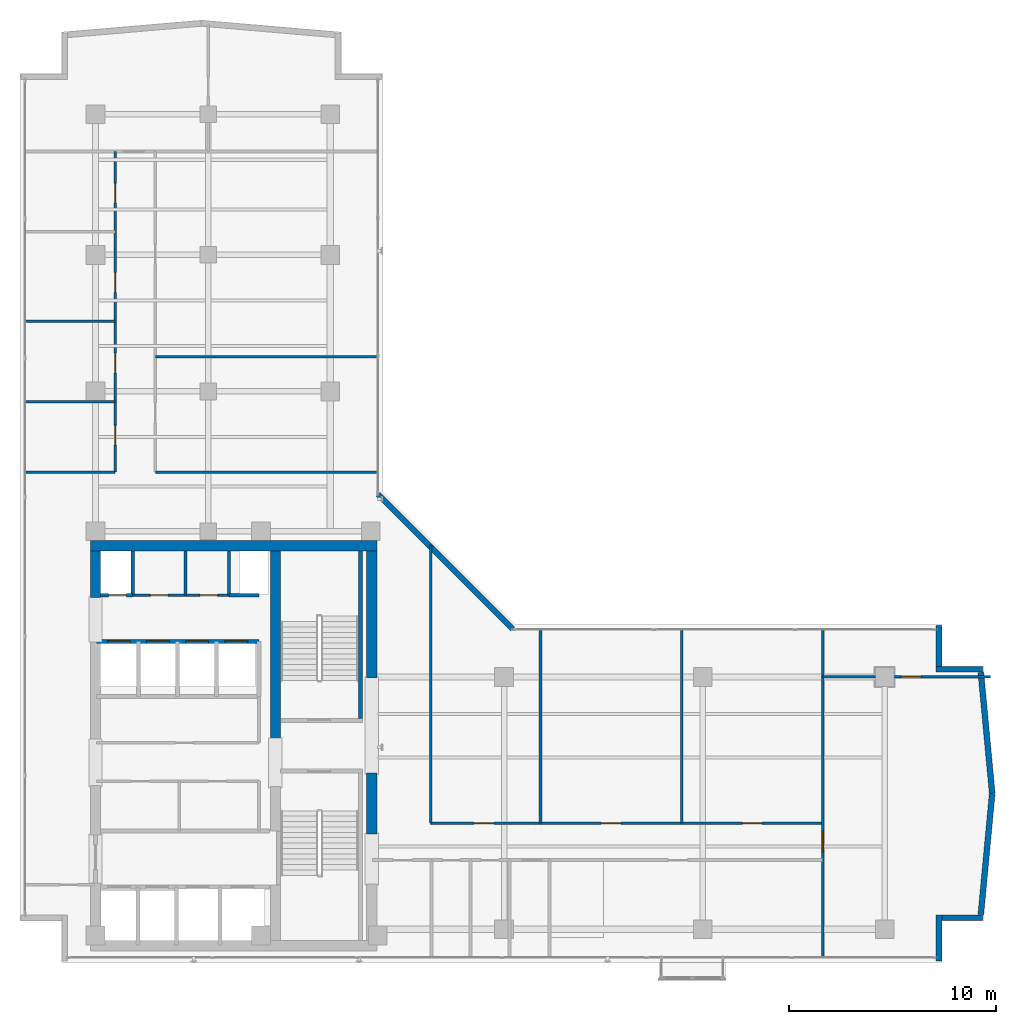
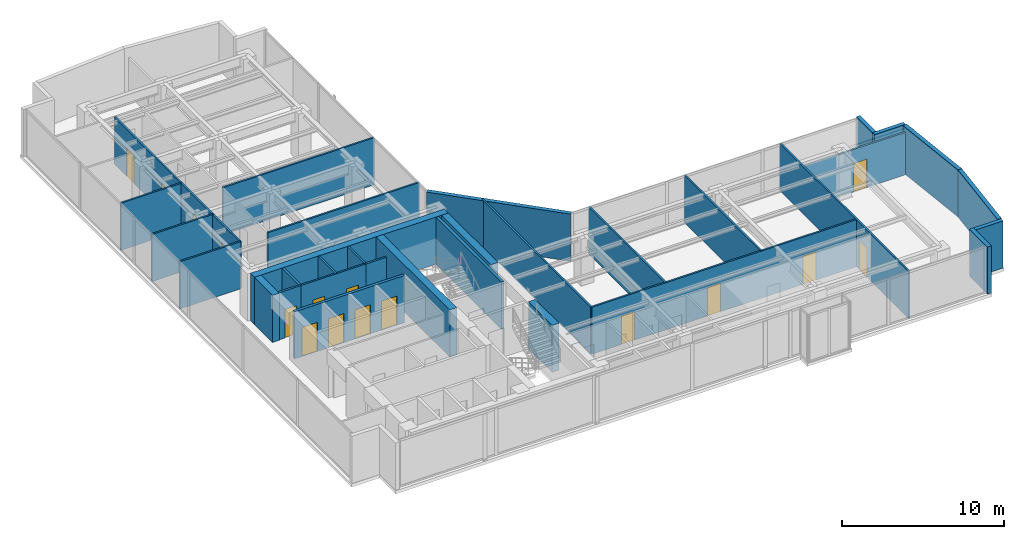
# One storey, part 18 of 24: 32 walls, 16 doors, 16 openings.
"""IFC4 building model written with IfcOpenShell, lengths in metres."""

from ifc_helpers import new_model, si_unit, direction, frame, frame_2d, origin, place, context, subcontext, project, spatial, rectangle, extrude, material, layer, layer_set, type_object, element, fill, save


model = new_model("IFC4")

# Units and contexts
model_context = context("Model", 3, precision=1e-05, world=origin(), true_north=direction((0.0, 1.0)))
body_context = subcontext(model_context, "Body", "Model", "MODEL_VIEW")
ifc_project = project(units=[si_unit("LENGTHUNIT", "METRE"), si_unit("AREAUNIT", "SQUARE_METRE"), si_unit("VOLUMEUNIT", "CUBIC_METRE"), si_unit("PLANEANGLEUNIT", "RADIAN"), si_unit("MASSUNIT", "GRAM", prefix="KILO")], contexts=[model_context])

# Site, building, storey
site_placement = place(None, origin())
site = spatial("IfcSite", under=ifc_project, at=site_placement, CompositionType="ELEMENT")
building_placement = place(site_placement, origin())
building = spatial("IfcBuilding", under=site, at=building_placement, Name="Kolvaren Waterfront Exchange", CompositionType="ELEMENT")
storey_placement = place(building_placement, frame((0.0, 0.0, 285.60009765625)))
storey = spatial("IfcBuildingStorey", under=building, at=storey_placement, Name="L73", CompositionType="ELEMENT", Elevation=285.60009765625)

# Walls
ifc_material_1 = material(Name="Precast concrete C40/50", Category="concrete")
ifc_layer_1 = layer(ifc_material_1, 0.280029296875, Name="Precast concrete C40/50")
ifc_layer_set_1 = layer_set([ifc_layer_1], Name="Precast concrete C40/50")
wall_type_1 = type_object("IfcWallType", Name="ARC-EXT-TERR-280", PredefinedType="SOLIDWALL", material=ifc_layer_set_1)
wall_1_placement = place(storey_placement, frame((48.218994140625, 3.659912109375, 0.0), z_axis=(0.0, 0.0, 1.0), x_axis=(0.0, 1.0, 0.0)))
element("IfcWall", 1, at=wall_1_placement, inside=storey, type_object=wall_type_1, Name="L73 notched corner spandrel pier SE-A", PredefinedType="SOLIDWALL", context=body_context, shape_type="SweptSolid", body=[
    extrude(rectangle(XDim=2.239990234375, YDim=0.280029296875, at=frame_2d((1.1201171875, 0.0))), origin(), (0.0, 0.0, 1.0), 3.559814453125),
])
wall_2_placement = place(storey_placement, frame((48.35888671875, 5.760009765625, 0.0), z_axis=(0.0, 0.0, 1.0), x_axis=(1.0, 0.0, 0.0)))
element("IfcWall", 2, at=wall_2_placement, inside=storey, type_object=wall_type_1, Name="L73 notched corner spandrel pier SE-B", PredefinedType="SOLIDWALL", context=body_context, shape_type="SweptSolid", body=[
    extrude(rectangle(XDim=1.9599609375, YDim=0.280029296875, at=frame_2d((0.97998046875, 0.0))), origin(), (0.0, 0.0, 1.0), 3.559814453125),
])
wall_3_placement = place(storey_placement, frame((48.218994140625, 17.90185546875, 0.0), z_axis=(0.0, 0.0, 1.0), x_axis=(0.0, 1.0, 0.0)))
element("IfcWall", 3, at=wall_3_placement, inside=storey, type_object=wall_type_1, Name="L73 notched corner spandrel pier ENE-A", PredefinedType="SOLIDWALL", context=body_context, shape_type="SweptSolid", body=[
    extrude(rectangle(XDim=1.974853515625, YDim=0.280029296875, at=frame_2d((0.9873046875, 0.0))), origin(), (0.0, 0.0, 1.0), 3.559814453125),
])
wall_4_placement = place(storey_placement, frame((48.078857421875, 17.77685546875, 0.0), z_axis=(0.0, 0.0, 1.0), x_axis=(1.0, 0.0, 0.0)))
element("IfcWall", 4, at=wall_4_placement, inside=storey, type_object=wall_type_1, Name="L73 notched corner spandrel pier ENE-B", PredefinedType="SOLIDWALL", context=body_context, shape_type="SweptSolid", body=[
    extrude(rectangle(XDim=2.239990234375, YDim=0.280029296875, at=frame_2d((1.1201171875, 0.0))), origin(), (0.0, 0.0, 1.0), 3.559814453125),
])
wall_5_placement = place(storey_placement, frame((27.621826171875, 19.7119140625, 0.0), z_axis=(0.0, 0.0, 1.0), x_axis=(-0.707120040392, 0.707093521733, 0.0)))
element("IfcWall", 5, at=wall_5_placement, inside=storey, type_object=wall_type_1, Name="L73 notched corner spandrel pier ELBOW", PredefinedType="SOLIDWALL", context=body_context, shape_type="SweptSolid", body=[
    extrude(rectangle(XDim=9.206298828125, YDim=0.280029296875, at=frame_2d((4.60302734375, 0.0))), origin(), (0.0, 0.0, 1.0), 3.559814453125),
])
for number, where, z_axis, x_axis, name in (
    (6, (50.24755859375, 5.91357421875, 0.0), (0.0, 0.0, 1.0), (0.093450118625, 0.995623962814, 0.0), "L73 east prow faceted facade wall 1"),
    (7, (50.796630859375, 11.7734375, 0.0), (0.0, 0.0, 1.0), (-0.093450118625, 0.995623962814, 0.0), "L73 east prow faceted facade wall 2"),
):
    element("IfcWall", number, at=place(storey_placement, frame(where, z_axis=z_axis, x_axis=x_axis)), inside=storey, type_object=wall_type_1, Name=name, PredefinedType="SOLIDWALL", context=body_context, shape_type="SweptSolid", body=[
        extrude(rectangle(XDim=5.87548828125, YDim=0.280029296875, at=frame_2d((2.937744140625, 0.0))), origin(), (0.0, 0.0, 1.0), 3.559814453125),
    ])

# Wall, openings, doors
ifc_material_2 = material(Name="Acoustic gypsum steel stud", Category="steel")
ifc_layer_2 = layer(ifc_material_2, 0.125, Name="Acoustic gypsum steel stud")
ifc_layer_set_2 = layer_set([ifc_layer_2], Name="Acoustic gypsum steel stud")
wall_type_2 = type_object("IfcWallType", Name="ARC-PART-125", PredefinedType="PARTITIONING", material=ifc_layer_set_2)
wall_6_placement = place(storey_placement, frame((9.25, 21.35009765625, 0.0), z_axis=(0.0, 0.0, 1.0), x_axis=(1.0, 0.0, 0.0)))
wall_6 = element("IfcWall", 8, at=wall_6_placement, inside=storey, type_object=wall_type_2, Name="L73 interior wall PW-L73-SVC-HI-S", PredefinedType="PARTITIONING", context=body_context, shape_type="SweptSolid", body=[
    extrude(rectangle(XDim=4.64990234375, YDim=0.125, at=frame_2d((2.324951171875, 0.0))), origin(), (0.0, 0.0, 1.0), 3.559814453125),
])
opening_1_placement = place(wall_6_placement, frame((0.85009765625, 0.0, 0.0)))
opening_1 = element("IfcOpeningElement", 9, at=opening_1_placement, cuts=wall_6, Name="Opening D01", PredefinedType="OPENING", context=body_context, shape_type="SweptSolid", body=[
    extrude(rectangle(XDim=0.85009765625, YDim=2.14990234375, at=frame_2d((0.425048828125, 1.074951171875))), frame((0.0, 0.072509765625, 0.0), z_axis=(0.0, -1.0, 0.0), x_axis=(1.0, 0.0, 0.0)), (0.0, 0.0, 1.0), 0.14501953125),
])
opening_2_placement = place(wall_6_placement, frame((3.25, 0.0, 0.0)))
opening_2 = element("IfcOpeningElement", 10, at=opening_2_placement, cuts=wall_6, Name="Opening D01", PredefinedType="OPENING", context=body_context, shape_type="SweptSolid", body=[
    extrude(rectangle(XDim=0.85009765625, YDim=2.14990234375, at=frame_2d((0.425048828125, 1.074951171875))), frame((0.0, 0.072509765625, 0.0), z_axis=(0.0, -1.0, 0.0), x_axis=(1.0, 0.0, 0.0)), (0.0, 0.0, 1.0), 0.14501953125),
])
ifc_material_3 = material(Name="Oak veneer timber leaf", Category="wood")
door_type_1 = type_object("IfcDoorType", Name="ARC-DR-900", OperationType="NOTDEFINED", PredefinedType="DOOR", material=ifc_material_3)
door_1_placement = place(opening_1_placement, origin())
door_1 = element("IfcDoor", 11, at=door_1_placement, inside=storey, type_object=door_type_1, Name="L73 door DR-L73-SVC-DR-1 (D01)", OperationType="SINGLE_SWING_RIGHT", OverallHeight=2.14990234375, OverallWidth=0.85009765625, PredefinedType="DOOR", context=body_context, shape_type="SweptSolid", body=[
    extrude(rectangle(XDim=0.85009765625, YDim=2.14990234375, at=frame_2d((0.425048828125, 1.074951171875))), frame((0.0, 0.02490234375, 0.0), z_axis=(0.0, -1.0, 0.0), x_axis=(1.0, 0.0, 0.0)), (0.0, 0.0, 1.0), 0.050048828125),
])
fill(opening_1, door_1)
door_2_placement = place(opening_2_placement, origin())
door_2 = element("IfcDoor", 12, at=door_2_placement, inside=storey, type_object=door_type_1, Name="L73 door DR-L73-SVC-DR-2 (D01)", OperationType="SINGLE_SWING_LEFT", OverallHeight=2.14990234375, OverallWidth=0.85009765625, PredefinedType="DOOR", context=body_context, shape_type="SweptSolid", body=[
    extrude(rectangle(XDim=0.85009765625, YDim=2.14990234375, at=frame_2d((0.425048828125, 1.074951171875))), frame((0.0, 0.02490234375, 0.0), z_axis=(0.0, -1.0, 0.0), x_axis=(1.0, 0.0, 0.0)), (0.0, 0.0, 1.0), 0.050048828125),
])
fill(opening_2, door_2)

# Wall
wall_7_placement = place(storey_placement, frame((11.800048828125, 21.35009765625, 0.0), z_axis=(0.0, 0.0, 1.0), x_axis=(0.0, 1.0, 0.0)))
element("IfcWall", 13, at=wall_7_placement, inside=storey, type_object=wall_type_2, Name="L73 interior wall PW-L73-SVC-HI-M", PredefinedType="PARTITIONING", context=body_context, shape_type="SweptSolid", body=[
    extrude(rectangle(XDim=2.1298828125, YDim=0.125, at=frame_2d((1.06494140625, 0.0))), origin(), (0.0, 0.0, 1.0), 3.559814453125),
])

# Wall, opening, door
wall_8_placement = place(storey_placement, frame((42.60009765625, 3.840087890625, 0.0), z_axis=(0.0, 0.0, 1.0), x_axis=(0.0, 1.0, 0.0)))
wall_8 = element("IfcWall", 14, at=wall_8_placement, inside=storey, type_object=wall_type_2, Name="L73 interior wall PW-L73-ETIP-W", PredefinedType="PARTITIONING", context=body_context, shape_type="SweptSolid", body=[
    extrude(rectangle(XDim=15.919921875, YDim=0.125, at=frame_2d((7.9599609375, 0.0))), origin(), (0.0, 0.0, 1.0), 3.559814453125),
])
opening_3_placement = place(wall_8_placement, frame((5.10009765625, 0.0, 0.0)))
opening_3 = element("IfcOpeningElement", 15, at=opening_3_placement, cuts=wall_8, Name="Opening D03", PredefinedType="OPENING", context=body_context, shape_type="SweptSolid", body=[
    extrude(rectangle(XDim=1.0, YDim=2.199951171875, at=frame_2d((0.5, 1.10009765625))), frame((0.0, 0.072509765625, 0.0), z_axis=(0.0, -1.0, 0.0), x_axis=(1.0, 0.0, 0.0)), (0.0, 0.0, 1.0), 0.14501953125),
])
ifc_material_4 = material(Name="Oak veneer accessible timber", Category="wood")
door_type_2 = type_object("IfcDoorType", Name="ARC-DR-1000", OperationType="NOTDEFINED", PredefinedType="DOOR", material=ifc_material_4)
door_3_placement = place(opening_3_placement, origin())
door_3 = element("IfcDoor", 16, at=door_3_placement, inside=storey, type_object=door_type_2, Name="L73 door DR-L73-ETIP1-D (D03)", OperationType="SINGLE_SWING_RIGHT", OverallHeight=2.199951171875, OverallWidth=1.0, PredefinedType="DOOR", context=body_context, shape_type="SweptSolid", body=[
    extrude(rectangle(XDim=1.0, YDim=2.199951171875, at=frame_2d((0.5, 1.10009765625))), frame((0.0, 0.02490234375, 0.0), z_axis=(0.0, -1.0, 0.0), x_axis=(1.0, 0.0, 0.0)), (0.0, 0.0, 1.0), 0.050048828125),
])
fill(opening_3, door_3)

wall_9_placement = place(storey_placement, frame((42.60009765625, 17.39990234375, 0.0), z_axis=(0.0, 0.0, 1.0), x_axis=(1.0, 0.0, 0.0)))
wall_9 = element("IfcWall", 17, at=wall_9_placement, inside=storey, type_object=wall_type_2, Name="L73 interior wall PW-L73-ETIP-MID", PredefinedType="PARTITIONING", context=body_context, shape_type="SweptSolid", body=[
    extrude(rectangle(XDim=8.11767578125, YDim=0.125, at=frame_2d((4.058837890625, 0.0))), origin(), (0.0, 0.0, 1.0), 3.199951171875),
])
opening_4_placement = place(wall_9_placement, frame((3.8125, 0.0, 0.0)))
opening_4 = element("IfcOpeningElement", 18, at=opening_4_placement, cuts=wall_9, Name="Opening D02", PredefinedType="OPENING", context=body_context, shape_type="SweptSolid", body=[
    extrude(rectangle(XDim=0.949951171875, YDim=2.14990234375, at=frame_2d((0.47509765625, 1.074951171875))), frame((0.0, 0.072509765625, 0.0), z_axis=(0.0, -1.0, 0.0), x_axis=(1.0, 0.0, 0.0)), (0.0, 0.0, 1.0), 0.14501953125),
])
ifc_material_5 = material(Name="Oak veneer acoustic timber", Category="wood")
door_type_3 = type_object("IfcDoorType", Name="ARC-DR-950", OperationType="NOTDEFINED", PredefinedType="DOOR", material=ifc_material_5)
door_4_placement = place(opening_4_placement, origin())
door_4 = element("IfcDoor", 19, at=door_4_placement, inside=storey, type_object=door_type_3, Name="L73 door DR-L73-ETIP2-D (D02)", OperationType="SINGLE_SWING_LEFT", OverallHeight=2.14990234375, OverallWidth=0.949951171875, PredefinedType="DOOR", context=body_context, shape_type="SweptSolid", body=[
    extrude(rectangle(XDim=0.949951171875, YDim=2.14990234375, at=frame_2d((0.47509765625, 1.074951171875))), frame((0.0, 0.02490234375, 0.0), z_axis=(0.0, -1.0, 0.0), x_axis=(1.0, 0.0, 0.0)), (0.0, 0.0, 1.0), 0.050048828125),
])
fill(opening_4, door_4)

# Wall
wall_10_placement = place(storey_placement, frame((23.64990234375, 10.330078125, 0.0), z_axis=(0.0, 0.0, 1.0), x_axis=(0.0, 1.0, 0.0)))
element("IfcWall", 20, at=wall_10_placement, inside=storey, type_object=wall_type_2, Name="L73 interior wall PW-L73-EN-W0", PredefinedType="PARTITIONING", context=body_context, shape_type="SweptSolid", body=[
    extrude(rectangle(XDim=13.45361328125, YDim=0.125, at=frame_2d((6.726806640625, 0.0))), origin(), (0.0, 0.0, 1.0), 3.559814453125),
])

# Wall, openings, doors
wall_11_placement = place(storey_placement, frame((23.64990234375, 10.330078125, 0.0), z_axis=(0.0, 0.0, 1.0), x_axis=(1.0, 0.0, 0.0)))
wall_11 = element("IfcWall", 21, at=wall_11_placement, inside=storey, type_object=wall_type_2, Name="L73 interior wall PW-L73-EN-CORR", PredefinedType="PARTITIONING", context=body_context, shape_type="SweptSolid", body=[
    extrude(rectangle(XDim=18.9501953125, YDim=0.125, at=frame_2d((9.47509765625, 0.0))), origin(), (0.0, 0.0, 1.0), 3.559814453125),
])
opening_5_placement = place(wall_11_placement, frame((2.10888671875, 0.0, 0.0)))
opening_5 = element("IfcOpeningElement", 22, at=opening_5_placement, cuts=wall_11, Name="Opening D02", PredefinedType="OPENING", context=body_context, shape_type="SweptSolid", body=[
    extrude(rectangle(XDim=0.949951171875, YDim=2.14990234375, at=frame_2d((0.47509765625, 1.074951171875))), frame((0.0, 0.072509765625, 0.0), z_axis=(0.0, -1.0, 0.0), x_axis=(1.0, 0.0, 0.0)), (0.0, 0.0, 1.0), 0.14501953125),
])
opening_6_placement = place(wall_11_placement, frame((8.2451171875, 0.0, 0.0)))
opening_6 = element("IfcOpeningElement", 23, at=opening_6_placement, cuts=wall_11, Name="Opening D02", PredefinedType="OPENING", context=body_context, shape_type="SweptSolid", body=[
    extrude(rectangle(XDim=0.949951171875, YDim=2.14990234375, at=frame_2d((0.47509765625, 1.074951171875))), frame((0.0, 0.072509765625, 0.0), z_axis=(0.0, -1.0, 0.0), x_axis=(1.0, 0.0, 0.0)), (0.0, 0.0, 1.0), 0.14501953125),
])
opening_7_placement = place(wall_11_placement, frame((15.06494140625, 0.0, 0.0)))
opening_7 = element("IfcOpeningElement", 24, at=opening_7_placement, cuts=wall_11, Name="Opening D02", PredefinedType="OPENING", context=body_context, shape_type="SweptSolid", body=[
    extrude(rectangle(XDim=0.949951171875, YDim=2.14990234375, at=frame_2d((0.47509765625, 1.074951171875))), frame((0.0, 0.072509765625, 0.0), z_axis=(0.0, -1.0, 0.0), x_axis=(1.0, 0.0, 0.0)), (0.0, 0.0, 1.0), 0.14501953125),
])
door_5_placement = place(opening_5_placement, origin())
door_5 = element("IfcDoor", 25, at=door_5_placement, inside=storey, type_object=door_type_3, Name="L73 door DR-L73-EN-D-1 (D02)", OperationType="SINGLE_SWING_RIGHT", OverallHeight=2.14990234375, OverallWidth=0.949951171875, PredefinedType="DOOR", context=body_context, shape_type="SweptSolid", body=[
    extrude(rectangle(XDim=0.949951171875, YDim=2.14990234375, at=frame_2d((0.47509765625, 1.074951171875))), frame((0.0, 0.02490234375, 0.0), z_axis=(0.0, -1.0, 0.0), x_axis=(1.0, 0.0, 0.0)), (0.0, 0.0, 1.0), 0.050048828125),
])
fill(opening_5, door_5)
door_6_placement = place(opening_6_placement, origin())
door_6 = element("IfcDoor", 26, at=door_6_placement, inside=storey, type_object=door_type_3, Name="L73 door DR-L73-EN-D-2 (D02)", OperationType="SINGLE_SWING_LEFT", OverallHeight=2.14990234375, OverallWidth=0.949951171875, PredefinedType="DOOR", context=body_context, shape_type="SweptSolid", body=[
    extrude(rectangle(XDim=0.949951171875, YDim=2.14990234375, at=frame_2d((0.47509765625, 1.074951171875))), frame((0.0, 0.02490234375, 0.0), z_axis=(0.0, -1.0, 0.0), x_axis=(1.0, 0.0, 0.0)), (0.0, 0.0, 1.0), 0.050048828125),
])
fill(opening_6, door_6)
door_7_placement = place(opening_7_placement, origin())
door_7 = element("IfcDoor", 27, at=door_7_placement, inside=storey, type_object=door_type_3, Name="L73 door DR-L73-EN-D-3 (D02)", OperationType="SINGLE_SWING_RIGHT", OverallHeight=2.14990234375, OverallWidth=0.949951171875, PredefinedType="DOOR", context=body_context, shape_type="SweptSolid", body=[
    extrude(rectangle(XDim=0.949951171875, YDim=2.14990234375, at=frame_2d((0.47509765625, 1.074951171875))), frame((0.0, 0.02490234375, 0.0), z_axis=(0.0, -1.0, 0.0), x_axis=(1.0, 0.0, 0.0)), (0.0, 0.0, 1.0), 0.050048828125),
])
fill(opening_7, door_7)

# Walls
for number, where, z_axis, x_axis, name in (
    (28, (28.9599609375, 10.330078125, 0.0), (0.0, 0.0, 1.0), (0.0, 1.0, 0.0), "L73 interior wall PW-L73-EN-DIV-1"),
    (29, (35.780029296875, 10.330078125, 0.0), (0.0, 0.0, 1.0), (0.0, 1.0, 0.0), "L73 interior wall PW-L73-EN-DIV-2"),
):
    element("IfcWall", number, at=place(storey_placement, frame(where, z_axis=z_axis, x_axis=x_axis)), inside=storey, type_object=wall_type_2, Name=name, PredefinedType="PARTITIONING", context=body_context, shape_type="SweptSolid", body=[
        extrude(rectangle(XDim=9.429931640625, YDim=0.125, at=frame_2d((4.71484375, 0.0))), origin(), (0.0, 0.0, 1.0), 3.559814453125),
    ])
wall_12_placement = place(storey_placement, frame((4.0400390625, 27.300048828125, 0.0), z_axis=(0.0, 0.0, 1.0), x_axis=(1.0, 0.0, 0.0)))
element("IfcWall", 30, at=wall_12_placement, inside=storey, type_object=wall_type_2, Name="L73 interior wall PW-L73-NW-S0", PredefinedType="PARTITIONING", context=body_context, shape_type="SweptSolid", body=[
    extrude(rectangle(XDim=4.35986328125, YDim=0.125, at=frame_2d((2.179931640625, 0.0))), origin(), (0.0, 0.0, 1.0), 3.559814453125),
])

# Wall, openings, doors
wall_13_placement = place(storey_placement, frame((8.39990234375, 27.300048828125, 0.0), z_axis=(0.0, 0.0, 1.0), x_axis=(0.0, 1.0, 0.0)))
wall_13 = element("IfcWall", 31, at=wall_13_placement, inside=storey, type_object=wall_type_2, Name="L73 interior wall PW-L73-NW-CORR", PredefinedType="PARTITIONING", context=body_context, shape_type="SweptSolid", body=[
    extrude(rectangle(XDim=15.5, YDim=0.125, at=frame_2d((7.75, 0.0))), origin(), (0.0, 0.0, 1.0), 3.559814453125),
])
opening_8_placement = place(wall_13_placement, frame((1.305419921875, 0.0, 0.0)))
opening_8 = element("IfcOpeningElement", 32, at=opening_8_placement, cuts=wall_13, Name="Opening D02", PredefinedType="OPENING", context=body_context, shape_type="SweptSolid", body=[
    extrude(rectangle(XDim=0.949951171875, YDim=2.14990234375, at=frame_2d((0.47509765625, 1.074951171875))), frame((0.0, 0.072509765625, 0.0), z_axis=(0.0, -1.0, 0.0), x_axis=(1.0, 0.0, 0.0)), (0.0, 0.0, 1.0), 0.14501953125),
])
opening_9_placement = place(wall_13_placement, frame((4.803955078125, 0.0, 0.0)))
opening_9 = element("IfcOpeningElement", 33, at=opening_9_placement, cuts=wall_13, Name="Opening D02", PredefinedType="OPENING", context=body_context, shape_type="SweptSolid", body=[
    extrude(rectangle(XDim=0.949951171875, YDim=2.14990234375, at=frame_2d((0.47509765625, 1.074951171875))), frame((0.0, 0.072509765625, 0.0), z_axis=(0.0, -1.0, 0.0), x_axis=(1.0, 0.0, 0.0)), (0.0, 0.0, 1.0), 0.14501953125),
])
opening_10_placement = place(wall_13_placement, frame((8.693359375, 0.0, 0.0)))
opening_10 = element("IfcOpeningElement", 34, at=opening_10_placement, cuts=wall_13, Name="Opening D02", PredefinedType="OPENING", context=body_context, shape_type="SweptSolid", body=[
    extrude(rectangle(XDim=0.949951171875, YDim=2.14990234375, at=frame_2d((0.47509765625, 1.074951171875))), frame((0.0, 0.072509765625, 0.0), z_axis=(0.0, -1.0, 0.0), x_axis=(1.0, 0.0, 0.0)), (0.0, 0.0, 1.0), 0.14501953125),
])
opening_11_placement = place(wall_13_placement, frame((13.013916015625, 0.0, 0.0)))
opening_11 = element("IfcOpeningElement", 35, at=opening_11_placement, cuts=wall_13, Name="Opening D02", PredefinedType="OPENING", context=body_context, shape_type="SweptSolid", body=[
    extrude(rectangle(XDim=0.949951171875, YDim=2.14990234375, at=frame_2d((0.47509765625, 1.074951171875))), frame((0.0, 0.072509765625, 0.0), z_axis=(0.0, -1.0, 0.0), x_axis=(1.0, 0.0, 0.0)), (0.0, 0.0, 1.0), 0.14501953125),
])
door_8_placement = place(opening_8_placement, origin())
door_8 = element("IfcDoor", 36, at=door_8_placement, inside=storey, type_object=door_type_3, Name="L73 door DR-L73-NW-D-1 (D02)", OperationType="SINGLE_SWING_LEFT", OverallHeight=2.14990234375, OverallWidth=0.949951171875, PredefinedType="DOOR", context=body_context, shape_type="SweptSolid", body=[
    extrude(rectangle(XDim=0.949951171875, YDim=2.14990234375, at=frame_2d((0.47509765625, 1.074951171875))), frame((0.0, 0.02490234375, 0.0), z_axis=(0.0, -1.0, 0.0), x_axis=(1.0, 0.0, 0.0)), (0.0, 0.0, 1.0), 0.050048828125),
])
fill(opening_8, door_8)
door_9_placement = place(opening_9_placement, origin())
door_9 = element("IfcDoor", 37, at=door_9_placement, inside=storey, type_object=door_type_3, Name="L73 door DR-L73-NW-D-2 (D02)", OperationType="SINGLE_SWING_RIGHT", OverallHeight=2.14990234375, OverallWidth=0.949951171875, PredefinedType="DOOR", context=body_context, shape_type="SweptSolid", body=[
    extrude(rectangle(XDim=0.949951171875, YDim=2.14990234375, at=frame_2d((0.47509765625, 1.074951171875))), frame((0.0, 0.02490234375, 0.0), z_axis=(0.0, -1.0, 0.0), x_axis=(1.0, 0.0, 0.0)), (0.0, 0.0, 1.0), 0.050048828125),
])
fill(opening_9, door_9)
door_10_placement = place(opening_10_placement, origin())
door_10 = element("IfcDoor", 38, at=door_10_placement, inside=storey, type_object=door_type_3, Name="L73 door DR-L73-NW-D-3 (D02)", OperationType="SINGLE_SWING_LEFT", OverallHeight=2.14990234375, OverallWidth=0.949951171875, PredefinedType="DOOR", context=body_context, shape_type="SweptSolid", body=[
    extrude(rectangle(XDim=0.949951171875, YDim=2.14990234375, at=frame_2d((0.47509765625, 1.074951171875))), frame((0.0, 0.02490234375, 0.0), z_axis=(0.0, -1.0, 0.0), x_axis=(1.0, 0.0, 0.0)), (0.0, 0.0, 1.0), 0.050048828125),
])
fill(opening_10, door_10)
door_11_placement = place(opening_11_placement, origin())
door_11 = element("IfcDoor", 39, at=door_11_placement, inside=storey, type_object=door_type_3, Name="L73 door DR-L73-NW-D-4 (D02)", OperationType="SINGLE_SWING_RIGHT", OverallHeight=2.14990234375, OverallWidth=0.949951171875, PredefinedType="DOOR", context=body_context, shape_type="SweptSolid", body=[
    extrude(rectangle(XDim=0.949951171875, YDim=2.14990234375, at=frame_2d((0.47509765625, 1.074951171875))), frame((0.0, 0.02490234375, 0.0), z_axis=(0.0, -1.0, 0.0), x_axis=(1.0, 0.0, 0.0)), (0.0, 0.0, 1.0), 0.050048828125),
])
fill(opening_11, door_11)

# Walls
for number, where, z_axis, x_axis, name in (
    (40, (4.0400390625, 30.7099609375, 0.0), (0.0, 0.0, 1.0), (1.0, 0.0, 0.0), "L73 interior wall PW-L73-NW-DIV-1"),
    (41, (4.0400390625, 34.590087890625, 0.0), (0.0, 0.0, 1.0), (1.0, 0.0, 0.0), "L73 interior wall PW-L73-NW-DIV-2"),
):
    element("IfcWall", number, at=place(storey_placement, frame(where, z_axis=z_axis, x_axis=x_axis)), inside=storey, type_object=wall_type_2, Name=name, PredefinedType="PARTITIONING", context=body_context, shape_type="SweptSolid", body=[
        extrude(rectangle(XDim=4.35986328125, YDim=0.125, at=frame_2d((2.179931640625, 0.0))), origin(), (0.0, 0.0, 1.0), 3.559814453125),
    ])
for number, where, z_axis, x_axis, name in (
    (42, (10.340087890625, 27.300048828125, 0.0), (0.0, 0.0, 1.0), (1.0, 0.0, 0.0), "L73 interior wall PW-L73-NE-S0"),
    (43, (10.340087890625, 32.8798828125, 0.0), (0.0, 0.0, 1.0), (1.0, 0.0, 0.0), "L73 interior wall PW-L73-NE-DIV-1"),
):
    element("IfcWall", number, at=place(storey_placement, frame(where, z_axis=z_axis, x_axis=x_axis)), inside=storey, type_object=wall_type_2, Name=name, PredefinedType="PARTITIONING", context=body_context, shape_type="SweptSolid", body=[
        extrude(rectangle(XDim=10.81982421875, YDim=0.125, at=frame_2d((5.409912109375, 0.0))), origin(), (0.0, 0.0, 1.0), 3.559814453125),
    ])
ifc_material_6 = material(Name="Gypsum fireboard steel stud", Category="steel")
ifc_layer_3 = layer(ifc_material_6, 0.14990234375, Name="Gypsum fireboard steel stud")
ifc_layer_set_3 = layer_set([ifc_layer_3], Name="Gypsum fireboard steel stud")
wall_type_3 = type_object("IfcWallType", Name="ARC-PART-150", PredefinedType="PARTITIONING", material=ifc_layer_set_3)
for number, where, z_axis, x_axis, name in (
    (44, (9.25, 21.35009765625, 0.0), (0.0, 0.0, 1.0), (0.0, 1.0, 0.0), "L73 interior wall PW-L73-SVC-R1"),
    (45, (13.89990234375, 21.35009765625, 0.0), (0.0, 0.0, 1.0), (0.0, 1.0, 0.0), "L73 interior wall PW-L73-SVC-R2"),
):
    element("IfcWall", number, at=place(storey_placement, frame(where, z_axis=z_axis, x_axis=x_axis)), inside=storey, type_object=wall_type_3, Name=name, PredefinedType="PARTITIONING", context=body_context, shape_type="SweptSolid", body=[
        extrude(rectangle(XDim=2.1298828125, YDim=0.14990234375, at=frame_2d((1.06494140625, 0.0))), origin(), (0.0, 0.0, 1.0), 3.559814453125),
    ])

# Wall, opening, door
wall_14_placement = place(storey_placement, frame((7.699951171875, 21.35009765625, 0.0), z_axis=(0.0, 0.0, 1.0), x_axis=(1.0, 0.0, 0.0)))
wall_14 = element("IfcWall", 46, at=wall_14_placement, inside=storey, type_object=wall_type_3, Name="L73 interior wall PW-L73-SVC-RE-S", PredefinedType="PARTITIONING", context=body_context, shape_type="SweptSolid", body=[
    extrude(rectangle(XDim=1.550048828125, YDim=0.14990234375, at=frame_2d((0.77490234375, 0.0))), origin(), (0.0, 0.0, 1.0), 3.559814453125),
])
opening_12_placement = place(wall_14_placement, frame((0.389892578125, 0.0, 0.0)))
opening_12 = element("IfcOpeningElement", 47, at=opening_12_placement, cuts=wall_14, Name="Opening FD1", PredefinedType="OPENING", context=body_context, shape_type="SweptSolid", body=[
    extrude(rectangle(XDim=0.85009765625, YDim=2.14990234375, at=frame_2d((0.425048828125, 1.074951171875))), frame((0.0, 0.0849609375, 0.0), z_axis=(0.0, -1.0, 0.0), x_axis=(1.0, 0.0, 0.0)), (0.0, 0.0, 1.0), 0.169921875),
])
ifc_material_7 = material(Name="Pressed steel fire leaf", Category="steel")
door_type_4 = type_object("IfcDoorType", Name="ARC-FD-900", OperationType="NOTDEFINED", PredefinedType="DOOR", material=ifc_material_7)
door_12_placement = place(opening_12_placement, origin())
door_12 = element("IfcDoor", 48, at=door_12_placement, inside=storey, type_object=door_type_4, Name="L73 door DR-L73-RISER-E-DR (FD1)", OperationType="SINGLE_SWING_LEFT", OverallHeight=2.14990234375, OverallWidth=0.85009765625, PredefinedType="DOOR", context=body_context, shape_type="SweptSolid", body=[
    extrude(rectangle(XDim=0.85009765625, YDim=2.14990234375, at=frame_2d((0.425048828125, 1.074951171875))), frame((0.0, 0.02490234375, 0.0), z_axis=(0.0, -1.0, 0.0), x_axis=(1.0, 0.0, 0.0)), (0.0, 0.0, 1.0), 0.050048828125),
])
fill(opening_12, door_12)

# Walls
wall_15_placement = place(storey_placement, frame((13.89990234375, 21.35009765625, 0.0), z_axis=(0.0, 0.0, 1.0), x_axis=(1.0, 0.0, 0.0)))
element("IfcWall", 49, at=wall_15_placement, inside=storey, type_object=wall_type_3, Name="L73 interior wall PW-L73-SVC-RP-S", PredefinedType="PARTITIONING", context=body_context, shape_type="SweptSolid", body=[
    extrude(rectangle(XDim=1.4501953125, YDim=0.14990234375, at=frame_2d((0.72509765625, 0.0))), origin(), (0.0, 0.0, 1.0), 3.559814453125),
])
ifc_material_8 = material(Name="Concrete C40/50", Category="concrete")
ifc_layer_4 = layer(ifc_material_8, 0.199951171875, Name="Concrete C40/50")
ifc_layer_set_4 = layer_set([ifc_layer_4], Name="Concrete C40/50")
wall_type_4 = type_object("IfcWallType", Name="ARC-SHAFT-200", PredefinedType="PARTITIONING", material=ifc_layer_set_4)
wall_16_placement = place(storey_placement, frame((20.260009765625, 15.39990234375, 0.0), z_axis=(0.0, 0.0, 1.0), x_axis=(0.0, 1.0, 0.0)))
element("IfcWall", 50, at=wall_16_placement, inside=storey, type_object=wall_type_4, Name="L73 structural stairwell wall PW-L73-ST2-E", PredefinedType="SHEAR", context=body_context, shape_type="SweptSolid", body=[
    extrude(rectangle(XDim=8.090087890625, YDim=0.199951171875, at=frame_2d((4.044921875, 0.0))), origin(), (0.0, 0.0, 1.0), 3.559814453125),
])

# Wall, openings, doors
wall_17_placement = place(storey_placement, frame((7.5, 19.1201171875, 0.0), z_axis=(0.0, 0.0, 1.0), x_axis=(1.0, 0.0, 0.0)))
wall_17 = element("IfcWall", 51, at=wall_17_placement, inside=storey, type_object=wall_type_4, Name="L73 interior wall PW-L73-PH-N", PredefinedType="PARTITIONING", context=body_context, shape_type="SweptSolid", body=[
    extrude(rectangle(XDim=7.85009765625, YDim=0.199951171875, at=frame_2d((3.925048828125, 0.0))), origin(), (0.0, 0.0, 1.0), 3.559814453125),
])
opening_13_placement = place(wall_17_placement, frame((0.530029296875, 0.0, 0.0)))
opening_13 = element("IfcOpeningElement", 52, at=opening_13_placement, cuts=wall_17, Name="Opening LD2", PredefinedType="OPENING", context=body_context, shape_type="SweptSolid", body=[
    extrude(rectangle(XDim=1.10009765625, YDim=2.199951171875, at=frame_2d((0.550048828125, 1.10009765625))), frame((0.0, 0.10986328125, 0.0), z_axis=(0.0, -1.0, 0.0), x_axis=(1.0, 0.0, 0.0)), (0.0, 0.0, 1.0), 0.219970703125),
])
opening_14_placement = place(wall_17_placement, frame((2.419921875, 0.0, 0.0)))
opening_14 = element("IfcOpeningElement", 53, at=opening_14_placement, cuts=wall_17, Name="Opening LD2", PredefinedType="OPENING", context=body_context, shape_type="SweptSolid", body=[
    extrude(rectangle(XDim=1.10009765625, YDim=2.199951171875, at=frame_2d((0.550048828125, 1.10009765625))), frame((0.0, 0.10986328125, 0.0), z_axis=(0.0, -1.0, 0.0), x_axis=(1.0, 0.0, 0.0)), (0.0, 0.0, 1.0), 0.219970703125),
])
opening_15_placement = place(wall_17_placement, frame((4.31005859375, 0.0, 0.0)))
opening_15 = element("IfcOpeningElement", 54, at=opening_15_placement, cuts=wall_17, Name="Opening LD2", PredefinedType="OPENING", context=body_context, shape_type="SweptSolid", body=[
    extrude(rectangle(XDim=1.10009765625, YDim=2.199951171875, at=frame_2d((0.550048828125, 1.10009765625))), frame((0.0, 0.10986328125, 0.0), z_axis=(0.0, -1.0, 0.0), x_axis=(1.0, 0.0, 0.0)), (0.0, 0.0, 1.0), 0.219970703125),
])
opening_16_placement = place(wall_17_placement, frame((6.199951171875, 0.0, 0.0)))
opening_16 = element("IfcOpeningElement", 55, at=opening_16_placement, cuts=wall_17, Name="Opening LD2", PredefinedType="OPENING", context=body_context, shape_type="SweptSolid", body=[
    extrude(rectangle(XDim=1.10009765625, YDim=2.199951171875, at=frame_2d((0.550048828125, 1.10009765625))), frame((0.0, 0.10986328125, 0.0), z_axis=(0.0, -1.0, 0.0), x_axis=(1.0, 0.0, 0.0)), (0.0, 0.0, 1.0), 0.219970703125),
])
ifc_material_9 = material(Name="Brushed bronze sliding landing door", Category="aluminium")
door_type_5 = type_object("IfcDoorType", Name="ARC-LD-PAX", OperationType="SLIDING_TO_LEFT", PredefinedType="DOOR", material=ifc_material_9)
door_13_placement = place(opening_13_placement, origin())
door_13 = element("IfcDoor", 56, at=door_13_placement, inside=storey, type_object=door_type_5, Name="L73 door LD-L73-PH1 (LD2)", OperationType="SLIDING_TO_LEFT", OverallHeight=2.199951171875, OverallWidth=1.10009765625, PredefinedType="DOOR", context=body_context, shape_type="SweptSolid", body=[
    extrude(rectangle(XDim=1.10009765625, YDim=2.199951171875, at=frame_2d((0.550048828125, 1.10009765625))), frame((0.0, 0.02490234375, 0.0), z_axis=(0.0, -1.0, 0.0), x_axis=(1.0, 0.0, 0.0)), (0.0, 0.0, 1.0), 0.050048828125),
])
fill(opening_13, door_13)
door_14_placement = place(opening_14_placement, origin())
door_14 = element("IfcDoor", 57, at=door_14_placement, inside=storey, type_object=door_type_5, Name="L73 door LD-L73-PH2 (LD2)", OperationType="SLIDING_TO_LEFT", OverallHeight=2.199951171875, OverallWidth=1.10009765625, PredefinedType="DOOR", context=body_context, shape_type="SweptSolid", body=[
    extrude(rectangle(XDim=1.10009765625, YDim=2.199951171875, at=frame_2d((0.550048828125, 1.10009765625))), frame((0.0, 0.02490234375, 0.0), z_axis=(0.0, -1.0, 0.0), x_axis=(1.0, 0.0, 0.0)), (0.0, 0.0, 1.0), 0.050048828125),
])
fill(opening_14, door_14)
door_15_placement = place(opening_15_placement, origin())
door_15 = element("IfcDoor", 58, at=door_15_placement, inside=storey, type_object=door_type_5, Name="L73 door LD-L73-PH3 (LD2)", OperationType="SLIDING_TO_LEFT", OverallHeight=2.199951171875, OverallWidth=1.10009765625, PredefinedType="DOOR", context=body_context, shape_type="SweptSolid", body=[
    extrude(rectangle(XDim=1.10009765625, YDim=2.199951171875, at=frame_2d((0.550048828125, 1.10009765625))), frame((0.0, 0.02490234375, 0.0), z_axis=(0.0, -1.0, 0.0), x_axis=(1.0, 0.0, 0.0)), (0.0, 0.0, 1.0), 0.050048828125),
])
fill(opening_15, door_15)
door_16_placement = place(opening_16_placement, origin())
door_16 = element("IfcDoor", 59, at=door_16_placement, inside=storey, type_object=door_type_5, Name="L73 door LD-L73-PH4 (LD2)", OperationType="SLIDING_TO_LEFT", OverallHeight=2.199951171875, OverallWidth=1.10009765625, PredefinedType="DOOR", context=body_context, shape_type="SweptSolid", body=[
    extrude(rectangle(XDim=1.10009765625, YDim=2.199951171875, at=frame_2d((0.550048828125, 1.10009765625))), frame((0.0, 0.02490234375, 0.0), z_axis=(0.0, -1.0, 0.0), x_axis=(1.0, 0.0, 0.0)), (0.0, 0.0, 1.0), 0.050048828125),
])
fill(opening_16, door_16)

# Walls
ifc_material_10 = material(Name="Concrete C50/60", Category="concrete")
ifc_layer_5 = layer(ifc_material_10, 0.5, Name="Concrete C50/60")
ifc_layer_set_5 = layer_set([ifc_layer_5], Name="Concrete C50/60")
wall_type_5 = type_object("IfcWallType", Name="STR-CWALL-500", PredefinedType="SHEAR", material=ifc_layer_set_5)
wall_18_placement = place(storey_placement, frame((7.199951171875, 23.75, 0.0), z_axis=(0.0, 0.0, 1.0), x_axis=(1.0, 0.0, 0.0)))
element("IfcWall", 60, at=wall_18_placement, inside=storey, type_object=wall_type_5, Name="L73 rear-core shear wall N", PredefinedType="SHEAR", context=body_context, shape_type="SweptSolid", body=[
    extrude(rectangle(XDim=13.85009765625, YDim=0.5, at=frame_2d((6.925048828125, 0.0))), origin(), (0.0, 0.0, 1.0), 3.559814453125),
])
wall_19_placement = place(storey_placement, frame((7.449951171875, 21.239990234375, 0.0), z_axis=(0.0, 0.0, 1.0), x_axis=(0.0, 1.0, 0.0)))
element("IfcWall", 61, at=wall_19_placement, inside=storey, type_object=wall_type_5, Name="L73 rear-core shear wall W3", PredefinedType="SHEAR", context=body_context, shape_type="SweptSolid", body=[
    extrude(rectangle(XDim=2.260009765625, YDim=0.5, at=frame_2d((1.1298828125, 0.0))), origin(), (0.0, 0.0, 1.0), 3.559814453125),
])
wall_20_placement = place(storey_placement, frame((20.800048828125, 9.800048828125, 0.0), z_axis=(0.0, 0.0, 1.0), x_axis=(0.0, 1.0, 0.0)))
element("IfcWall", 62, at=wall_20_placement, inside=storey, type_object=wall_type_5, Name="L73 rear-core shear wall E2", PredefinedType="SHEAR", context=body_context, shape_type="SweptSolid", body=[
    extrude(rectangle(XDim=2.949951171875, YDim=0.5, at=frame_2d((1.47509765625, 0.0))), origin(), (0.0, 0.0, 1.0), 3.559814453125),
])
wall_21_placement = place(storey_placement, frame((20.800048828125, 17.35009765625, 0.0), z_axis=(0.0, 0.0, 1.0), x_axis=(0.0, 1.0, 0.0)))
element("IfcWall", 63, at=wall_21_placement, inside=storey, type_object=wall_type_5, Name="L73 rear-core shear wall E3", PredefinedType="SHEAR", context=body_context, shape_type="SweptSolid", body=[
    extrude(rectangle(XDim=6.14990234375, YDim=0.5, at=frame_2d((3.074951171875, 0.0))), origin(), (0.0, 0.0, 1.0), 3.559814453125),
])
wall_22_placement = place(storey_placement, frame((16.14990234375, 14.39990234375, 0.0), z_axis=(0.0, 0.0, 1.0), x_axis=(0.0, 1.0, 0.0)))
element("IfcWall", 64, at=wall_22_placement, inside=storey, type_object=wall_type_5, Name="L73 rear-core shear wall M3", PredefinedType="SHEAR", context=body_context, shape_type="SweptSolid", body=[
    extrude(rectangle(XDim=9.10009765625, YDim=0.5, at=frame_2d((4.550048828125, 0.0))), origin(), (0.0, 0.0, 1.0), 3.559814453125),
])

save(model, "model.ifc")
